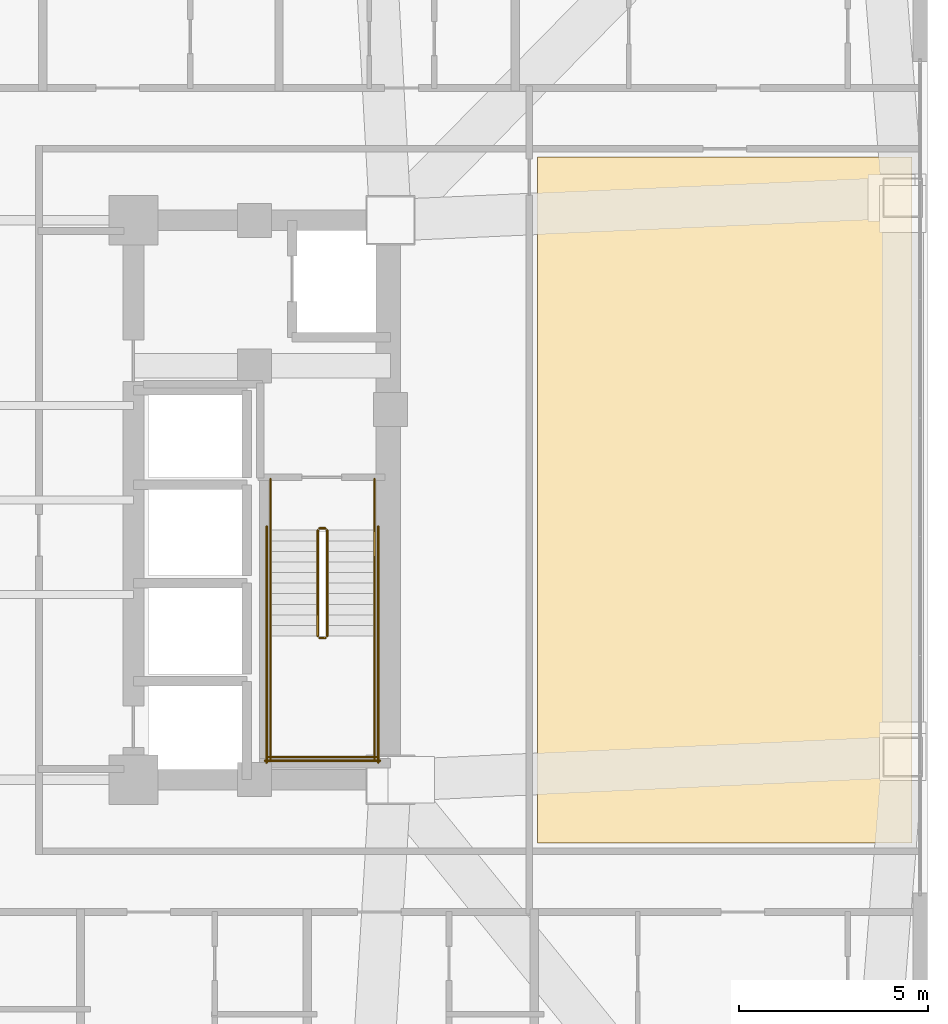
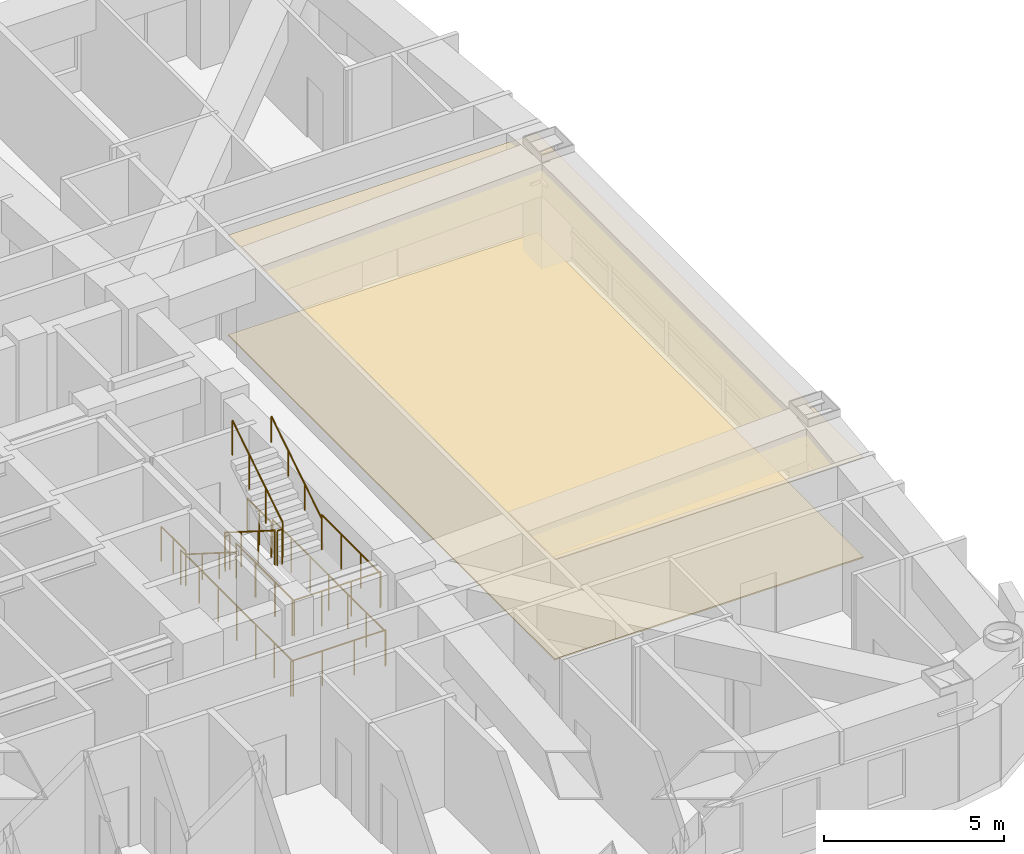
# One storey, part 16 of 16: 14 railings, 2 coverings.
"""IFC4 building model written with IfcOpenShell, lengths in metres."""

from ifc_helpers import new_model, si_unit, direction, frame, origin, origin_2d, place, context, subcontext, project, spatial, polyline, circle, outline, extrude, material, layer, layer_set, type_object, element, save


model = new_model("IFC4")

# Units and contexts
model_context = context("Model", 3, precision=1e-05, world=origin(), true_north=direction((0.0, 1.0)))
body_context = subcontext(model_context, "Body", "Model", "MODEL_VIEW")
ifc_project = project(units=[si_unit("LENGTHUNIT", "METRE"), si_unit("AREAUNIT", "SQUARE_METRE"), si_unit("VOLUMEUNIT", "CUBIC_METRE"), si_unit("PLANEANGLEUNIT", "RADIAN"), si_unit("MASSUNIT", "GRAM", prefix="KILO")], contexts=[model_context])

# Site, building, storey
site_placement = place(None, origin())
site = spatial("IfcSite", under=ifc_project, at=site_placement, CompositionType="ELEMENT")
building_placement = place(site_placement, origin())
building = spatial("IfcBuilding", under=site, at=building_placement, Name="Voryun Gate Residences", CompositionType="ELEMENT")
storey_placement = place(building_placement, frame((0.0, 0.0, 89.699951171875)))
storey = spatial("IfcBuildingStorey", under=building, at=storey_placement, Name="L21", CompositionType="ELEMENT", Elevation=89.699951171875)

# Coverings
ifc_material_1 = material(Name="Gypsum acoustic ceiling")
ifc_layer_1 = layer(ifc_material_1, 0.02490234375, Name="COV_CEILING_ACOUSTIC")
ifc_layer_set_1 = layer_set([ifc_layer_1], Name="Gypsum acoustic ceiling")
covering_type_1 = type_object("IfcCoveringType", Name="COV_CEILING_ACOUSTIC", PredefinedType="CEILING", material=ifc_layer_set_1)
covering_1_placement = place(storey_placement, frame((0.0, 0.0, 3.400146484375)))
element("IfcCovering", 1, at=covering_1_placement, inside=storey, type_object=covering_type_1, Name="Acoustic ceiling CLG-L21-01", PredefinedType="CEILING", context=body_context, shape_type="SweptSolid", body=[
    extrude(outline(polyline([(23.090087890625, 9.070068359375), (32.99755859375, 9.070068359375), (32.99755859375, -9.070068359375), (23.090087890625, -9.070068359375), (23.090087890625, 9.070068359375)])), origin(), (0.0, 0.0, 1.0), 0.02490234375),
])
ifc_material_2 = material(Name="Architectural oak flooring")
ifc_layer_2 = layer(ifc_material_2, 0.044921875, Name="COV_FLOOR_ONDOL_OAK")
ifc_layer_set_2 = layer_set([ifc_layer_2], Name="Architectural oak flooring")
covering_type_2 = type_object("IfcCoveringType", Name="COV_FLOOR_ONDOL_OAK", PredefinedType="FLOORING", material=ifc_layer_set_2)
covering_2_placement = place(storey_placement, origin())
element("IfcCovering", 2, at=covering_2_placement, inside=storey, type_object=covering_type_2, Name="Ondol oak floor FLR-L21-01", PredefinedType="FLOORING", context=body_context, shape_type="SweptSolid", body=[
    extrude(outline(polyline([(23.090087890625, 9.070068359375), (32.99755859375, 9.070068359375), (32.99755859375, -9.070068359375), (23.090087890625, -9.070068359375), (23.090087890625, 9.070068359375)])), origin(), (0.0, 0.0, 1.0), 0.045166015625),
])

# Railings
ifc_material_3 = material(Name="Painted steel", Category="steel")
railing_type_1 = type_object("IfcRailingType", Name="RAIL_STAIR_GUARD_1200", PredefinedType="GUARDRAIL", material=ifc_material_3)
railing_1_placement = place(storey_placement, frame((17.27490234375, -0.800048828125, 0.17724609375)))
element("IfcRailing", 3, at=railing_1_placement, inside=storey, type_object=railing_type_1, Name="L21 ST-E1 stair guard 1", PredefinedType="GUARDRAIL", context=body_context, shape_type="SweptSolid", body=[
    extrude(circle(Radius=0.02392578125, at=origin_2d()), frame((0.0, 0.0, 1.17578125), z_axis=(0.0, -0.844908973607, 0.534910110503), x_axis=(1.0, 0.0, 0.0)), (0.0, 0.0, 1.0), 3.31396484375),
    extrude(circle(Radius=0.02099609375, at=origin_2d()), origin(), (0.0, 0.0, 1.0), 1.15185546875),
    extrude(circle(Radius=0.02099609375, at=origin_2d()), frame((0.0, -0.933349609375, 0.5908203125)), (0.0, 0.0, 1.0), 1.15185546875),
    extrude(circle(Radius=0.02099609375, at=origin_2d()), frame((0.0, -1.86669921875, 1.181884765625)), (0.0, 0.0, 1.0), 1.15185546875),
    extrude(circle(Radius=0.02099609375, at=origin_2d()), frame((0.0, -2.800048828125, 1.772705078125)), (0.0, 0.0, 1.0), 1.15185546875),
])
railing_2_placement = place(storey_placement, frame((17.324951171875, -3.64990234375, 1.949951171875)))
element("IfcRailing", 4, at=railing_2_placement, inside=storey, type_object=railing_type_1, Name="L21 ST-E1 stair guard 2", PredefinedType="GUARDRAIL", context=body_context, shape_type="SweptSolid", body=[
    extrude(circle(Radius=0.02392578125, at=origin_2d()), frame((0.0, 0.0, 1.17578125), z_axis=(1.0, 0.0, 0.0), x_axis=(0.0, 1.0, 0.0)), (0.0, 0.0, 1.0), 0.150146484375),
    extrude(circle(Radius=0.02099609375, at=origin_2d()), origin(), (0.0, 0.0, 1.0), 1.15185546875),
    extrude(circle(Radius=0.02099609375, at=origin_2d()), frame((0.150146484375, 0.0, 0.0)), (0.0, 0.0, 1.0), 1.15185546875),
])
for number, where, name in (
    (5, (16.02490234375, -3.60009765625, 1.949951171875), "L21 ST-E1 stair guard 3"),
    (6, (18.77490234375, -3.60009765625, 1.949951171875), "L21 ST-E1 stair guard 4"),
):
    element("IfcRailing", number, at=place(storey_placement, frame(where)), inside=storey, type_object=railing_type_1, Name=name, PredefinedType="GUARDRAIL", context=body_context, shape_type="SweptSolid", body=[
        extrude(circle(Radius=0.02392578125, at=origin_2d()), frame((0.0, 0.0, 1.17578125), z_axis=(0.0, -1.0, 0.0), x_axis=(1.0, 0.0, 0.0)), (0.0, 0.0, 1.0), 3.25),
        extrude(circle(Radius=0.02099609375, at=origin_2d()), origin(), (0.0, 0.0, 1.0), 1.15185546875),
        extrude(circle(Radius=0.02099609375, at=origin_2d()), frame((0.0, -1.083251953125, 0.0)), (0.0, 0.0, 1.0), 1.15185546875),
        extrude(circle(Radius=0.02099609375, at=origin_2d()), frame((0.0, -2.166748046875, 0.0)), (0.0, 0.0, 1.0), 1.15185546875),
        extrude(circle(Radius=0.02099609375, at=origin_2d()), frame((0.0, -3.25, 0.0)), (0.0, 0.0, 1.0), 1.15185546875),
    ])
railing_3_placement = place(storey_placement, frame((15.97509765625, -6.800048828125, 1.949951171875)))
element("IfcRailing", 7, at=railing_3_placement, inside=storey, type_object=railing_type_1, Name="L21 ST-E1 stair guard 5", PredefinedType="GUARDRAIL", context=body_context, shape_type="SweptSolid", body=[
    extrude(circle(Radius=0.02392578125, at=origin_2d()), frame((0.0, 0.0, 1.17578125), z_axis=(1.0, 0.0, 0.0), x_axis=(0.0, 1.0, 0.0)), (0.0, 0.0, 1.0), 2.849853515625),
    extrude(circle(Radius=0.02099609375, at=origin_2d()), origin(), (0.0, 0.0, 1.0), 1.15185546875),
    extrude(circle(Radius=0.02099609375, at=origin_2d()), frame((0.949951171875, 0.0, 0.0)), (0.0, 0.0, 1.0), 1.15185546875),
    extrude(circle(Radius=0.02099609375, at=origin_2d()), frame((1.89990234375, 0.0, 0.0)), (0.0, 0.0, 1.0), 1.15185546875),
    extrude(circle(Radius=0.02099609375, at=origin_2d()), frame((2.849853515625, 0.0, 0.0)), (0.0, 0.0, 1.0), 1.15185546875),
])
railing_4_placement = place(storey_placement, frame((17.52490234375, -3.60009765625, 2.12744140625)))
element("IfcRailing", 8, at=railing_4_placement, inside=storey, type_object=railing_type_1, Name="L21 ST-E1 stair guard 6", PredefinedType="GUARDRAIL", context=body_context, shape_type="SweptSolid", body=[
    extrude(circle(Radius=0.02392578125, at=origin_2d()), frame((0.0, 0.0, 1.17578125), z_axis=(0.0, 0.844908973607, 0.534910110503), x_axis=(-1.0, 0.0, 0.0)), (0.0, 0.0, 1.0), 3.31396484375),
    extrude(circle(Radius=0.02099609375, at=origin_2d()), origin(), (0.0, 0.0, 1.0), 1.15185546875),
    extrude(circle(Radius=0.02099609375, at=origin_2d()), frame((0.0, 0.933349609375, 0.5908203125)), (0.0, 0.0, 1.0), 1.15185546875),
    extrude(circle(Radius=0.02099609375, at=origin_2d()), frame((0.0, 1.86669921875, 1.181884765625)), (0.0, 0.0, 1.0), 1.15185546875),
    extrude(circle(Radius=0.02099609375, at=origin_2d()), frame((0.0, 2.800048828125, 1.772705078125)), (0.0, 0.0, 1.0), 1.15185546875),
])
railing_5_placement = place(storey_placement, frame((17.324951171875, -0.75, 0.0)))
element("IfcRailing", 9, at=railing_5_placement, inside=storey, type_object=railing_type_1, Name="L21 ST-E1 stair guard 7", PredefinedType="GUARDRAIL", context=body_context, shape_type="SweptSolid", body=[
    extrude(circle(Radius=0.02392578125, at=origin_2d()), frame((0.0, 0.0, 1.17578125), z_axis=(1.0, 0.0, 0.0), x_axis=(0.0, 1.0, 0.0)), (0.0, 0.0, 1.0), 0.150146484375),
    extrude(circle(Radius=0.02099609375, at=origin_2d()), origin(), (0.0, 0.0, 1.0), 1.15185546875),
    extrude(circle(Radius=0.02099609375, at=origin_2d()), frame((0.150146484375, 0.0, 0.0)), (0.0, 0.0, 1.0), 1.15185546875),
])
for number, where, name in (
    (10, (16.02490234375, 0.550048828125, 0.0), "L21 ST-E1 stair guard 8"),
    (11, (18.77490234375, 0.550048828125, 0.0), "L21 ST-E1 stair guard 9"),
):
    element("IfcRailing", number, at=place(storey_placement, frame(where)), inside=storey, type_object=railing_type_1, Name=name, PredefinedType="GUARDRAIL", context=body_context, shape_type="SweptSolid", body=[
        extrude(circle(Radius=0.02392578125, at=origin_2d()), frame((0.0, 0.0, 1.17578125), z_axis=(0.0, -1.0, 0.0), x_axis=(1.0, 0.0, 0.0)), (0.0, 0.0, 1.0), 1.35009765625),
        extrude(circle(Radius=0.02099609375, at=origin_2d()), origin(), (0.0, 0.0, 1.0), 1.15185546875),
        extrude(circle(Radius=0.02099609375, at=origin_2d()), frame((0.0, -0.675048828125, 0.0)), (0.0, 0.0, 1.0), 1.15185546875),
        extrude(circle(Radius=0.02099609375, at=origin_2d()), frame((0.0, -1.35009765625, 0.0)), (0.0, 0.0, 1.0), 1.15185546875),
    ])
for number, where, name in (
    (12, (15.925048828125, -0.699951171875, 0.0), "L21 ST-E1 stair guard 10"),
    (13, (18.875, -0.699951171875, 0.0), "L21 ST-E1 stair guard 11"),
):
    element("IfcRailing", number, at=place(storey_placement, frame(where)), inside=storey, type_object=railing_type_1, Name=name, PredefinedType="GUARDRAIL", context=body_context, shape_type="SweptSolid", body=[
        extrude(circle(Radius=0.02392578125, at=origin_2d()), frame((0.0, 0.0, 1.17578125), z_axis=(0.0, -1.0, 0.0), x_axis=(1.0, 0.0, 0.0)), (0.0, 0.0, 1.0), 6.25),
        extrude(circle(Radius=0.02099609375, at=origin_2d()), origin(), (0.0, 0.0, 1.0), 1.15185546875),
        extrude(circle(Radius=0.02099609375, at=origin_2d()), frame((0.0, -1.041748046875, 0.0)), (0.0, 0.0, 1.0), 1.15185546875),
        extrude(circle(Radius=0.02099609375, at=origin_2d()), frame((0.0, -2.083251953125, 0.0)), (0.0, 0.0, 1.0), 1.15185546875),
        extrude(circle(Radius=0.02099609375, at=origin_2d()), frame((0.0, -3.125, 0.0)), (0.0, 0.0, 1.0), 1.15185546875),
        extrude(circle(Radius=0.02099609375, at=origin_2d()), frame((0.0, -4.166748046875, 0.0)), (0.0, 0.0, 1.0), 1.15185546875),
        extrude(circle(Radius=0.02099609375, at=origin_2d()), frame((0.0, -5.208251953125, 0.0)), (0.0, 0.0, 1.0), 1.15185546875),
        extrude(circle(Radius=0.02099609375, at=origin_2d()), frame((0.0, -6.25, 0.0)), (0.0, 0.0, 1.0), 1.15185546875),
    ])
railing_6_placement = place(storey_placement, frame((15.875, -6.89990234375, 0.0)))
element("IfcRailing", 14, at=railing_6_placement, inside=storey, type_object=railing_type_1, Name="L21 ST-E1 stair guard 12", PredefinedType="GUARDRAIL", context=body_context, shape_type="SweptSolid", body=[
    extrude(circle(Radius=0.02392578125, at=origin_2d()), frame((0.0, 0.0, 1.17578125), z_axis=(1.0, 0.0, 0.0), x_axis=(0.0, 1.0, 0.0)), (0.0, 0.0, 1.0), 3.050048828125),
    extrude(circle(Radius=0.02099609375, at=origin_2d()), origin(), (0.0, 0.0, 1.0), 1.15185546875),
    extrude(circle(Radius=0.02099609375, at=origin_2d()), frame((1.0166015625, 0.0, 0.0)), (0.0, 0.0, 1.0), 1.15185546875),
    extrude(circle(Radius=0.02099609375, at=origin_2d()), frame((2.033447265625, 0.0, 0.0)), (0.0, 0.0, 1.0), 1.15185546875),
    extrude(circle(Radius=0.02099609375, at=origin_2d()), frame((3.050048828125, 0.0, 0.0)), (0.0, 0.0, 1.0), 1.15185546875),
])
ifc_material_4 = material(Name="Painted steel", Category="steel")
railing_type_2 = type_object("IfcRailingType", Name="RAIL_STAIR_HANDRAIL_900", PredefinedType="HANDRAIL", material=ifc_material_4)
railing_7_placement = place(storey_placement, frame((16.02490234375, -0.800048828125, 0.17724609375)))
element("IfcRailing", 15, at=railing_7_placement, inside=storey, type_object=railing_type_2, Name="L21 ST-E1 stair handrail 1", PredefinedType="HANDRAIL", context=body_context, shape_type="SweptSolid", body=[
    extrude(circle(Radius=0.02392578125, at=origin_2d()), frame((0.0, 0.0, 0.8759765625), z_axis=(0.0, -0.844908973607, 0.534910110503), x_axis=(1.0, 0.0, 0.0)), (0.0, 0.0, 1.0), 3.31396484375),
    extrude(circle(Radius=0.02099609375, at=origin_2d()), origin(), (0.0, 0.0, 1.0), 0.851806640625),
    extrude(circle(Radius=0.02099609375, at=origin_2d()), frame((0.0, -0.933349609375, 0.5908203125)), (0.0, 0.0, 1.0), 0.851806640625),
    extrude(circle(Radius=0.02099609375, at=origin_2d()), frame((0.0, -1.86669921875, 1.181884765625)), (0.0, 0.0, 1.0), 0.851806640625),
    extrude(circle(Radius=0.02099609375, at=origin_2d()), frame((0.0, -2.800048828125, 1.772705078125)), (0.0, 0.0, 1.0), 0.851806640625),
])
railing_8_placement = place(storey_placement, frame((18.77490234375, -3.60009765625, 2.12744140625)))
element("IfcRailing", 16, at=railing_8_placement, inside=storey, type_object=railing_type_2, Name="L21 ST-E1 stair handrail 2", PredefinedType="HANDRAIL", context=body_context, shape_type="SweptSolid", body=[
    extrude(circle(Radius=0.02392578125, at=origin_2d()), frame((0.0, 0.0, 0.8759765625), z_axis=(0.0, 0.844908973607, 0.534910110503), x_axis=(-1.0, 0.0, 0.0)), (0.0, 0.0, 1.0), 3.31396484375),
    extrude(circle(Radius=0.02099609375, at=origin_2d()), origin(), (0.0, 0.0, 1.0), 0.851806640625),
    extrude(circle(Radius=0.02099609375, at=origin_2d()), frame((0.0, 0.933349609375, 0.5908203125)), (0.0, 0.0, 1.0), 0.851806640625),
    extrude(circle(Radius=0.02099609375, at=origin_2d()), frame((0.0, 1.86669921875, 1.181884765625)), (0.0, 0.0, 1.0), 0.851806640625),
    extrude(circle(Radius=0.02099609375, at=origin_2d()), frame((0.0, 2.800048828125, 1.772705078125)), (0.0, 0.0, 1.0), 0.851806640625),
])

save(model, "model.ifc")
